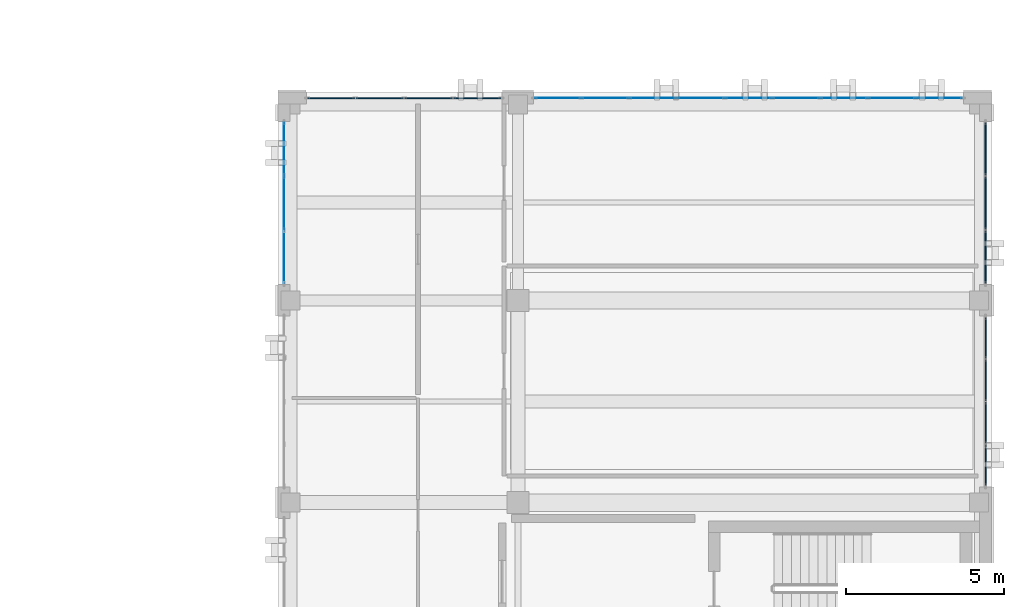
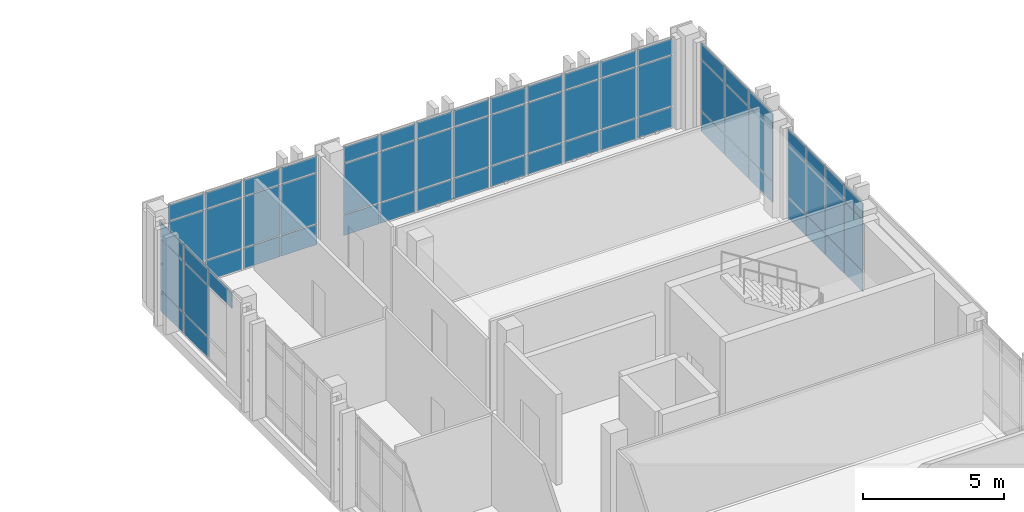
# One storey, part 66 of 90: 67 plates, 5 elements without a shape of their own.
"""IFC4 building model written with IfcOpenShell, lengths in metres."""

from ifc_helpers import new_model, si_unit, direction, frame, origin, origin_2d, place, context, subcontext, project, spatial, rectangle, extrude, material, layer, layer_set, type_object, element, aggregate, save


model = new_model("IFC4")

# Units and contexts
model_context = context("Model", 3, precision=1e-05, world=origin(), true_north=direction((0.0, 1.0)))
body_context = subcontext(model_context, "Body", "Model", "MODEL_VIEW")
ifc_project = project(units=[si_unit("LENGTHUNIT", "METRE"), si_unit("AREAUNIT", "SQUARE_METRE"), si_unit("VOLUMEUNIT", "CUBIC_METRE"), si_unit("PLANEANGLEUNIT", "RADIAN"), si_unit("MASSUNIT", "GRAM", prefix="KILO")], contexts=[model_context])

# Site, building, storey
site_placement = place(None, origin())
site = spatial("IfcSite", under=ifc_project, at=site_placement, CompositionType="ELEMENT")
building_placement = place(site_placement, origin())
building = spatial("IfcBuilding", under=site, at=building_placement, Name="Qalavern Law Courts", CompositionType="ELEMENT")
storey_placement = place(building_placement, frame((0.0, 0.0, 22.800048828125)))
storey = spatial("IfcBuildingStorey", under=building, at=storey_placement, Name="L05", CompositionType="ELEMENT", Elevation=22.800048828125)

# Curtain wall, plates
ifc_material_1 = material(Name="Anodised aluminium and insulated glazing", Category="aluminium")
ifc_layer_1 = layer(ifc_material_1, 0.159912109375)
ifc_layer_set_1 = layer_set([ifc_layer_1], Name="Anodised aluminium and insulated glazing")
curtain_wall_type = type_object("IfcCurtainWallType", Name="ENV-CW-CHAMB", PredefinedType="USERDEFINED", material=ifc_layer_set_1)
curtain_wall_1_placement = place(storey_placement, origin())
curtain_wall_1 = element("IfcCurtainWall", 1, at=curtain_wall_1_placement, inside=storey, type_object=curtain_wall_type, Name="V4 unitised curtain wall L05 north 1", ObjectType="UNITISED CURTAIN WALL", PredefinedType="USERDEFINED")
ifc_material_2 = material(Name="Insulated low-E acoustic glazing", Category="glass")
ifc_layer_2 = layer(ifc_material_2, 0.028076171875)
ifc_layer_set_2 = layer_set([ifc_layer_2], Name="Insulated low-E acoustic glazing")
plate_type_1 = type_object("IfcPlateType", Name="ENV-CWP-28", PredefinedType="CURTAIN_PANEL", material=ifc_layer_set_2)
plate_1_placement = place(storey_placement, frame((105.13232421875, 85.607421875, 0.048095703125), z_axis=(0.0, 0.0, 1.0), x_axis=(-1.0, 0.0, 0.0)))
plate_1 = element("IfcPlate", 2, at=plate_1_placement, type_object=plate_type_1, Name="CW-04 panel 1.1", PredefinedType="CURTAIN_PANEL", context=body_context, shape_type="SweptSolid", body=[
    extrude(rectangle(XDim=1.439208984375, YDim=0.028076171875, at=origin_2d()), origin(), (0.0, 0.0, 1.0), 0.8779296875),
])
plate_2_placement = place(storey_placement, frame((105.13232421875, 85.607421875, 0.97412109375), z_axis=(0.0, 0.0, 1.0), x_axis=(-1.0, 0.0, 0.0)))
plate_2 = element("IfcPlate", 3, at=plate_2_placement, type_object=plate_type_1, Name="CW-04 panel 1.2", PredefinedType="CURTAIN_PANEL", context=body_context, shape_type="SweptSolid", body=[
    extrude(rectangle(XDim=1.439208984375, YDim=0.028076171875, at=origin_2d()), origin(), (0.0, 0.0, 1.0), 2.181884765625),
])
plate_3_placement = place(storey_placement, frame((105.13232421875, 85.607421875, 3.2041015625), z_axis=(0.0, 0.0, 1.0), x_axis=(-1.0, 0.0, 0.0)))
plate_3 = element("IfcPlate", 4, at=plate_3_placement, type_object=plate_type_1, Name="CW-04 panel 1.3", PredefinedType="CURTAIN_PANEL", context=body_context, shape_type="SweptSolid", body=[
    extrude(rectangle(XDim=1.439208984375, YDim=0.028076171875, at=origin_2d()), origin(), (0.0, 0.0, 1.0), 0.677978515625),
])
plate_4_placement = place(storey_placement, frame((103.63330078125, 85.607421875, 0.048095703125), z_axis=(0.0, 0.0, 1.0), x_axis=(-1.0, 0.0, 0.0)))
plate_4 = element("IfcPlate", 5, at=plate_4_placement, type_object=plate_type_1, Name="CW-04 panel 2.1", PredefinedType="CURTAIN_PANEL", context=body_context, shape_type="SweptSolid", body=[
    extrude(rectangle(XDim=1.463134765625, YDim=0.028076171875, at=origin_2d()), origin(), (0.0, 0.0, 1.0), 0.8779296875),
])
plate_5_placement = place(storey_placement, frame((103.63330078125, 85.607421875, 0.97412109375), z_axis=(0.0, 0.0, 1.0), x_axis=(-1.0, 0.0, 0.0)))
plate_5 = element("IfcPlate", 6, at=plate_5_placement, type_object=plate_type_1, Name="CW-04 panel 2.2", PredefinedType="CURTAIN_PANEL", context=body_context, shape_type="SweptSolid", body=[
    extrude(rectangle(XDim=1.463134765625, YDim=0.028076171875, at=origin_2d()), origin(), (0.0, 0.0, 1.0), 2.181884765625),
])
plate_6_placement = place(storey_placement, frame((103.63330078125, 85.607421875, 3.2041015625), z_axis=(0.0, 0.0, 1.0), x_axis=(-1.0, 0.0, 0.0)))
plate_6 = element("IfcPlate", 7, at=plate_6_placement, type_object=plate_type_1, Name="CW-04 panel 2.3", PredefinedType="CURTAIN_PANEL", context=body_context, shape_type="SweptSolid", body=[
    extrude(rectangle(XDim=1.463134765625, YDim=0.028076171875, at=origin_2d()), origin(), (0.0, 0.0, 1.0), 0.677978515625),
])
plate_7_placement = place(storey_placement, frame((102.122314453125, 85.607421875, 0.048095703125), z_axis=(0.0, 0.0, 1.0), x_axis=(-1.0, 0.0, 0.0)))
plate_7 = element("IfcPlate", 8, at=plate_7_placement, type_object=plate_type_1, Name="CW-04 panel 3.1", PredefinedType="CURTAIN_PANEL", context=body_context, shape_type="SweptSolid", body=[
    extrude(rectangle(XDim=1.463134765625, YDim=0.028076171875, at=origin_2d()), origin(), (0.0, 0.0, 1.0), 0.8779296875),
])
plate_8_placement = place(storey_placement, frame((102.122314453125, 85.607421875, 0.97412109375), z_axis=(0.0, 0.0, 1.0), x_axis=(-1.0, 0.0, 0.0)))
plate_8 = element("IfcPlate", 9, at=plate_8_placement, type_object=plate_type_1, Name="CW-04 panel 3.2", PredefinedType="CURTAIN_PANEL", context=body_context, shape_type="SweptSolid", body=[
    extrude(rectangle(XDim=1.463134765625, YDim=0.028076171875, at=origin_2d()), origin(), (0.0, 0.0, 1.0), 2.181884765625),
])
plate_9_placement = place(storey_placement, frame((102.122314453125, 85.607421875, 3.2041015625), z_axis=(0.0, 0.0, 1.0), x_axis=(-1.0, 0.0, 0.0)))
plate_9 = element("IfcPlate", 10, at=plate_9_placement, type_object=plate_type_1, Name="CW-04 panel 3.3", PredefinedType="CURTAIN_PANEL", context=body_context, shape_type="SweptSolid", body=[
    extrude(rectangle(XDim=1.463134765625, YDim=0.028076171875, at=origin_2d()), origin(), (0.0, 0.0, 1.0), 0.677978515625),
])
plate_10_placement = place(storey_placement, frame((100.611083984375, 85.607421875, 0.048095703125), z_axis=(0.0, 0.0, 1.0), x_axis=(-1.0, 0.0, 0.0)))
plate_10 = element("IfcPlate", 11, at=plate_10_placement, type_object=plate_type_1, Name="CW-04 panel 4.1", PredefinedType="CURTAIN_PANEL", context=body_context, shape_type="SweptSolid", body=[
    extrude(rectangle(XDim=1.463134765625, YDim=0.028076171875, at=origin_2d()), origin(), (0.0, 0.0, 1.0), 0.8779296875),
])
plate_11_placement = place(storey_placement, frame((100.611083984375, 85.607421875, 0.97412109375), z_axis=(0.0, 0.0, 1.0), x_axis=(-1.0, 0.0, 0.0)))
plate_11 = element("IfcPlate", 12, at=plate_11_placement, type_object=plate_type_1, Name="CW-04 panel 4.2", PredefinedType="CURTAIN_PANEL", context=body_context, shape_type="SweptSolid", body=[
    extrude(rectangle(XDim=1.463134765625, YDim=0.028076171875, at=origin_2d()), origin(), (0.0, 0.0, 1.0), 2.181884765625),
])
plate_12_placement = place(storey_placement, frame((100.611083984375, 85.607421875, 3.2041015625), z_axis=(0.0, 0.0, 1.0), x_axis=(-1.0, 0.0, 0.0)))
plate_12 = element("IfcPlate", 13, at=plate_12_placement, type_object=plate_type_1, Name="CW-04 panel 4.3", PredefinedType="CURTAIN_PANEL", context=body_context, shape_type="SweptSolid", body=[
    extrude(rectangle(XDim=1.463134765625, YDim=0.028076171875, at=origin_2d()), origin(), (0.0, 0.0, 1.0), 0.677978515625),
])
plate_13_placement = place(storey_placement, frame((99.10009765625, 85.607421875, 0.048095703125), z_axis=(0.0, 0.0, 1.0), x_axis=(-1.0, 0.0, 0.0)))
plate_13 = element("IfcPlate", 14, at=plate_13_placement, type_object=plate_type_1, Name="CW-04 panel 5.1", PredefinedType="CURTAIN_PANEL", context=body_context, shape_type="SweptSolid", body=[
    extrude(rectangle(XDim=1.463134765625, YDim=0.028076171875, at=origin_2d()), origin(), (0.0, 0.0, 1.0), 0.8779296875),
])
plate_14_placement = place(storey_placement, frame((99.10009765625, 85.607421875, 0.97412109375), z_axis=(0.0, 0.0, 1.0), x_axis=(-1.0, 0.0, 0.0)))
plate_14 = element("IfcPlate", 15, at=plate_14_placement, type_object=plate_type_1, Name="CW-04 panel 5.2", PredefinedType="CURTAIN_PANEL", context=body_context, shape_type="SweptSolid", body=[
    extrude(rectangle(XDim=1.463134765625, YDim=0.028076171875, at=origin_2d()), origin(), (0.0, 0.0, 1.0), 2.181884765625),
])
plate_15_placement = place(storey_placement, frame((99.10009765625, 85.607421875, 3.2041015625), z_axis=(0.0, 0.0, 1.0), x_axis=(-1.0, 0.0, 0.0)))
plate_15 = element("IfcPlate", 16, at=plate_15_placement, type_object=plate_type_1, Name="CW-04 panel 5.3", PredefinedType="CURTAIN_PANEL", context=body_context, shape_type="SweptSolid", body=[
    extrude(rectangle(XDim=1.463134765625, YDim=0.028076171875, at=origin_2d()), origin(), (0.0, 0.0, 1.0), 0.677978515625),
])
plate_16_placement = place(storey_placement, frame((97.5888671875, 85.607421875, 0.048095703125), z_axis=(0.0, 0.0, 1.0), x_axis=(-1.0, 0.0, 0.0)))
plate_16 = element("IfcPlate", 17, at=plate_16_placement, type_object=plate_type_1, Name="CW-04 panel 6.1", PredefinedType="CURTAIN_PANEL", context=body_context, shape_type="SweptSolid", body=[
    extrude(rectangle(XDim=1.463134765625, YDim=0.028076171875, at=origin_2d()), origin(), (0.0, 0.0, 1.0), 0.8779296875),
])
plate_17_placement = place(storey_placement, frame((97.5888671875, 85.607421875, 0.97412109375), z_axis=(0.0, 0.0, 1.0), x_axis=(-1.0, 0.0, 0.0)))
plate_17 = element("IfcPlate", 18, at=plate_17_placement, type_object=plate_type_1, Name="CW-04 panel 6.2", PredefinedType="CURTAIN_PANEL", context=body_context, shape_type="SweptSolid", body=[
    extrude(rectangle(XDim=1.463134765625, YDim=0.028076171875, at=origin_2d()), origin(), (0.0, 0.0, 1.0), 2.181884765625),
])
plate_18_placement = place(storey_placement, frame((97.5888671875, 85.607421875, 3.2041015625), z_axis=(0.0, 0.0, 1.0), x_axis=(-1.0, 0.0, 0.0)))
plate_18 = element("IfcPlate", 19, at=plate_18_placement, type_object=plate_type_1, Name="CW-04 panel 6.3", PredefinedType="CURTAIN_PANEL", context=body_context, shape_type="SweptSolid", body=[
    extrude(rectangle(XDim=1.463134765625, YDim=0.028076171875, at=origin_2d()), origin(), (0.0, 0.0, 1.0), 0.677978515625),
])
plate_19_placement = place(storey_placement, frame((96.077880859375, 85.607421875, 0.048095703125), z_axis=(0.0, 0.0, 1.0), x_axis=(-1.0, 0.0, 0.0)))
plate_19 = element("IfcPlate", 20, at=plate_19_placement, type_object=plate_type_1, Name="CW-04 panel 7.1", PredefinedType="CURTAIN_PANEL", context=body_context, shape_type="SweptSolid", body=[
    extrude(rectangle(XDim=1.463134765625, YDim=0.028076171875, at=origin_2d()), origin(), (0.0, 0.0, 1.0), 0.8779296875),
])
plate_20_placement = place(storey_placement, frame((96.077880859375, 85.607421875, 0.97412109375), z_axis=(0.0, 0.0, 1.0), x_axis=(-1.0, 0.0, 0.0)))
plate_20 = element("IfcPlate", 21, at=plate_20_placement, type_object=plate_type_1, Name="CW-04 panel 7.2", PredefinedType="CURTAIN_PANEL", context=body_context, shape_type="SweptSolid", body=[
    extrude(rectangle(XDim=1.463134765625, YDim=0.028076171875, at=origin_2d()), origin(), (0.0, 0.0, 1.0), 2.181884765625),
])
plate_21_placement = place(storey_placement, frame((96.077880859375, 85.607421875, 3.2041015625), z_axis=(0.0, 0.0, 1.0), x_axis=(-1.0, 0.0, 0.0)))
plate_21 = element("IfcPlate", 22, at=plate_21_placement, type_object=plate_type_1, Name="CW-04 panel 7.3", PredefinedType="CURTAIN_PANEL", context=body_context, shape_type="SweptSolid", body=[
    extrude(rectangle(XDim=1.463134765625, YDim=0.028076171875, at=origin_2d()), origin(), (0.0, 0.0, 1.0), 0.677978515625),
])
plate_22_placement = place(storey_placement, frame((94.566650390625, 85.607421875, 0.048095703125), z_axis=(0.0, 0.0, 1.0), x_axis=(-1.0, 0.0, 0.0)))
plate_22 = element("IfcPlate", 23, at=plate_22_placement, type_object=plate_type_1, Name="CW-04 panel 8.1", PredefinedType="CURTAIN_PANEL", context=body_context, shape_type="SweptSolid", body=[
    extrude(rectangle(XDim=1.463134765625, YDim=0.028076171875, at=origin_2d()), origin(), (0.0, 0.0, 1.0), 0.8779296875),
])
plate_23_placement = place(storey_placement, frame((94.566650390625, 85.607421875, 0.97412109375), z_axis=(0.0, 0.0, 1.0), x_axis=(-1.0, 0.0, 0.0)))
plate_23 = element("IfcPlate", 24, at=plate_23_placement, type_object=plate_type_1, Name="CW-04 panel 8.2", PredefinedType="CURTAIN_PANEL", context=body_context, shape_type="SweptSolid", body=[
    extrude(rectangle(XDim=1.463134765625, YDim=0.028076171875, at=origin_2d()), origin(), (0.0, 0.0, 1.0), 2.181884765625),
])
plate_24_placement = place(storey_placement, frame((94.566650390625, 85.607421875, 3.2041015625), z_axis=(0.0, 0.0, 1.0), x_axis=(-1.0, 0.0, 0.0)))
plate_24 = element("IfcPlate", 25, at=plate_24_placement, type_object=plate_type_1, Name="CW-04 panel 8.3", PredefinedType="CURTAIN_PANEL", context=body_context, shape_type="SweptSolid", body=[
    extrude(rectangle(XDim=1.463134765625, YDim=0.028076171875, at=origin_2d()), origin(), (0.0, 0.0, 1.0), 0.677978515625),
])
plate_25_placement = place(storey_placement, frame((93.067626953125, 85.607421875, 0.048095703125), z_axis=(0.0, 0.0, 1.0), x_axis=(-1.0, 0.0, 0.0)))
plate_25 = element("IfcPlate", 26, at=plate_25_placement, type_object=plate_type_1, Name="CW-04 panel 9.1", PredefinedType="CURTAIN_PANEL", context=body_context, shape_type="SweptSolid", body=[
    extrude(rectangle(XDim=1.439208984375, YDim=0.028076171875, at=origin_2d()), origin(), (0.0, 0.0, 1.0), 0.8779296875),
])
plate_26_placement = place(storey_placement, frame((93.067626953125, 85.607421875, 0.97412109375), z_axis=(0.0, 0.0, 1.0), x_axis=(-1.0, 0.0, 0.0)))
plate_26 = element("IfcPlate", 27, at=plate_26_placement, type_object=plate_type_1, Name="CW-04 panel 9.2", PredefinedType="CURTAIN_PANEL", context=body_context, shape_type="SweptSolid", body=[
    extrude(rectangle(XDim=1.439208984375, YDim=0.028076171875, at=origin_2d()), origin(), (0.0, 0.0, 1.0), 2.181884765625),
])
plate_27_placement = place(storey_placement, frame((93.067626953125, 85.607421875, 3.2041015625), z_axis=(0.0, 0.0, 1.0), x_axis=(-1.0, 0.0, 0.0)))
plate_27 = element("IfcPlate", 28, at=plate_27_placement, type_object=plate_type_1, Name="CW-04 panel 9.3", PredefinedType="CURTAIN_PANEL", context=body_context, shape_type="SweptSolid", body=[
    extrude(rectangle(XDim=1.439208984375, YDim=0.028076171875, at=origin_2d()), origin(), (0.0, 0.0, 1.0), 0.677978515625),
])
aggregate(curtain_wall_1, [plate_1, plate_2, plate_3, plate_4, plate_5, plate_6, plate_7, plate_8, plate_9, plate_10, plate_11, plate_12, plate_13, plate_14, plate_15, plate_16, plate_17, plate_18, plate_19, plate_20, plate_21, plate_22, plate_23, plate_24, plate_25, plate_26, plate_27])

curtain_wall_2_placement = place(storey_placement, origin())
curtain_wall_2 = element("IfcCurtainWall", 29, at=curtain_wall_2_placement, inside=storey, type_object=curtain_wall_type, Name="V4 unitised curtain wall L05 west 1", ObjectType="UNITISED CURTAIN WALL", PredefinedType="USERDEFINED")
plate_28_placement = place(storey_placement, frame((84.392578125, 83.996337890625, 0.048095703125), z_axis=(0.0, 0.0, 1.0), x_axis=(0.0, -1.0, 0.0)))
plate_28 = element("IfcPlate", 30, at=plate_28_placement, type_object=plate_type_1, Name="CW-04 panel 1.1", PredefinedType="CURTAIN_PANEL", context=body_context, shape_type="SweptSolid", body=[
    extrude(rectangle(XDim=1.6513671875, YDim=0.028076171875, at=origin_2d()), origin(), (0.0, 0.0, 1.0), 0.8779296875),
])
plate_29_placement = place(storey_placement, frame((84.392578125, 83.996337890625, 0.97412109375), z_axis=(0.0, 0.0, 1.0), x_axis=(0.0, -1.0, 0.0)))
plate_29 = element("IfcPlate", 31, at=plate_29_placement, type_object=plate_type_1, Name="CW-04 panel 1.2", PredefinedType="CURTAIN_PANEL", context=body_context, shape_type="SweptSolid", body=[
    extrude(rectangle(XDim=1.6513671875, YDim=0.028076171875, at=origin_2d()), origin(), (0.0, 0.0, 1.0), 2.181884765625),
])
plate_30_placement = place(storey_placement, frame((84.392578125, 83.996337890625, 3.2041015625), z_axis=(0.0, 0.0, 1.0), x_axis=(0.0, -1.0, 0.0)))
plate_30 = element("IfcPlate", 32, at=plate_30_placement, type_object=plate_type_1, Name="CW-04 panel 1.3", PredefinedType="CURTAIN_PANEL", context=body_context, shape_type="SweptSolid", body=[
    extrude(rectangle(XDim=1.6513671875, YDim=0.028076171875, at=origin_2d()), origin(), (0.0, 0.0, 1.0), 0.677978515625),
])
plate_31_placement = place(storey_placement, frame((84.392578125, 82.284912109375, 0.048095703125), z_axis=(0.0, 0.0, 1.0), x_axis=(0.0, -1.0, 0.0)))
plate_31 = element("IfcPlate", 33, at=plate_31_placement, type_object=plate_type_1, Name="CW-04 panel 2.1", PredefinedType="CURTAIN_PANEL", context=body_context, shape_type="SweptSolid", body=[
    extrude(rectangle(XDim=1.67529296875, YDim=0.028076171875, at=origin_2d()), origin(), (0.0, 0.0, 1.0), 0.8779296875),
])
plate_32_placement = place(storey_placement, frame((84.392578125, 82.284912109375, 0.97412109375), z_axis=(0.0, 0.0, 1.0), x_axis=(0.0, -1.0, 0.0)))
plate_32 = element("IfcPlate", 34, at=plate_32_placement, type_object=plate_type_1, Name="CW-04 panel 2.2", PredefinedType="CURTAIN_PANEL", context=body_context, shape_type="SweptSolid", body=[
    extrude(rectangle(XDim=1.67529296875, YDim=0.028076171875, at=origin_2d()), origin(), (0.0, 0.0, 1.0), 2.181884765625),
])
plate_33_placement = place(storey_placement, frame((84.392578125, 82.284912109375, 3.2041015625), z_axis=(0.0, 0.0, 1.0), x_axis=(0.0, -1.0, 0.0)))
plate_33 = element("IfcPlate", 35, at=plate_33_placement, type_object=plate_type_1, Name="CW-04 panel 2.3", PredefinedType="CURTAIN_PANEL", context=body_context, shape_type="SweptSolid", body=[
    extrude(rectangle(XDim=1.67529296875, YDim=0.028076171875, at=origin_2d()), origin(), (0.0, 0.0, 1.0), 0.677978515625),
])
plate_34_placement = place(storey_placement, frame((84.392578125, 80.57373046875, 3.2041015625), z_axis=(0.0, 0.0, 1.0), x_axis=(0.0, -1.0, 0.0)))
plate_34 = element("IfcPlate", 36, at=plate_34_placement, type_object=plate_type_1, Name="CW-04 panel 3.3", PredefinedType="CURTAIN_PANEL", context=body_context, shape_type="SweptSolid", body=[
    extrude(rectangle(XDim=1.6513671875, YDim=0.028076171875, at=origin_2d()), origin(), (0.0, 0.0, 1.0), 0.677978515625),
])
aggregate(curtain_wall_2, [plate_28, plate_29, plate_30, plate_31, plate_32, plate_33, plate_34])

curtain_wall_3_placement = place(storey_placement, origin())
curtain_wall_3 = element("IfcCurtainWall", 37, at=curtain_wall_3_placement, inside=storey, type_object=curtain_wall_type, Name="V4 unitised curtain wall L05 north 2", ObjectType="UNITISED CURTAIN WALL", PredefinedType="USERDEFINED")
ifc_layer_3 = layer(ifc_material_2, 0.031982421875)
ifc_layer_set_3 = layer_set([ifc_layer_3], Name="Insulated low-E acoustic glazing")
plate_type_2 = type_object("IfcPlateType", Name="ENV-CWP-32", PredefinedType="CURTAIN_PANEL", material=ifc_layer_set_3)
plate_35_placement = place(storey_placement, frame((90.512939453125, 85.607421875, 0.048095703125), z_axis=(0.0, 0.0, 1.0), x_axis=(-1.0, 0.0, 0.0)))
plate_35 = element("IfcPlate", 38, at=plate_35_placement, type_object=plate_type_2, Name="CW-04 panel 1.1", PredefinedType="CURTAIN_PANEL", context=body_context, shape_type="SweptSolid", body=[
    extrude(rectangle(XDim=1.47802734375, YDim=0.031982421875, at=origin_2d()), origin(), (0.0, 0.0, 1.0), 0.8779296875),
])
plate_36_placement = place(storey_placement, frame((90.512939453125, 85.607421875, 0.97412109375), z_axis=(0.0, 0.0, 1.0), x_axis=(-1.0, 0.0, 0.0)))
plate_36 = element("IfcPlate", 39, at=plate_36_placement, type_object=plate_type_2, Name="CW-04 panel 1.2", PredefinedType="CURTAIN_PANEL", context=body_context, shape_type="SweptSolid", body=[
    extrude(rectangle(XDim=1.47802734375, YDim=0.031982421875, at=origin_2d()), origin(), (0.0, 0.0, 1.0), 2.181884765625),
])
plate_37_placement = place(storey_placement, frame((90.512939453125, 85.607421875, 3.2041015625), z_axis=(0.0, 0.0, 1.0), x_axis=(-1.0, 0.0, 0.0)))
plate_37 = element("IfcPlate", 40, at=plate_37_placement, type_object=plate_type_2, Name="CW-04 panel 1.3", PredefinedType="CURTAIN_PANEL", context=body_context, shape_type="SweptSolid", body=[
    extrude(rectangle(XDim=1.47802734375, YDim=0.031982421875, at=origin_2d()), origin(), (0.0, 0.0, 1.0), 0.677978515625),
])
plate_38_placement = place(storey_placement, frame((88.97509765625, 85.607421875, 0.048095703125), z_axis=(0.0, 0.0, 1.0), x_axis=(-1.0, 0.0, 0.0)))
plate_38 = element("IfcPlate", 41, at=plate_38_placement, type_object=plate_type_2, Name="CW-04 panel 2.1", PredefinedType="CURTAIN_PANEL", context=body_context, shape_type="SweptSolid", body=[
    extrude(rectangle(XDim=1.501953125, YDim=0.031982421875, at=origin_2d()), origin(), (0.0, 0.0, 1.0), 0.8779296875),
])
plate_39_placement = place(storey_placement, frame((88.97509765625, 85.607421875, 0.97412109375), z_axis=(0.0, 0.0, 1.0), x_axis=(-1.0, 0.0, 0.0)))
plate_39 = element("IfcPlate", 42, at=plate_39_placement, type_object=plate_type_2, Name="CW-04 panel 2.2", PredefinedType="CURTAIN_PANEL", context=body_context, shape_type="SweptSolid", body=[
    extrude(rectangle(XDim=1.501953125, YDim=0.031982421875, at=origin_2d()), origin(), (0.0, 0.0, 1.0), 2.181884765625),
])
plate_40_placement = place(storey_placement, frame((88.97509765625, 85.607421875, 3.2041015625), z_axis=(0.0, 0.0, 1.0), x_axis=(-1.0, 0.0, 0.0)))
plate_40 = element("IfcPlate", 43, at=plate_40_placement, type_object=plate_type_2, Name="CW-04 panel 2.3", PredefinedType="CURTAIN_PANEL", context=body_context, shape_type="SweptSolid", body=[
    extrude(rectangle(XDim=1.501953125, YDim=0.031982421875, at=origin_2d()), origin(), (0.0, 0.0, 1.0), 0.677978515625),
])
plate_41_placement = place(storey_placement, frame((87.425048828125, 85.607421875, 0.048095703125), z_axis=(0.0, 0.0, 1.0), x_axis=(-1.0, 0.0, 0.0)))
plate_41 = element("IfcPlate", 44, at=plate_41_placement, type_object=plate_type_2, Name="CW-04 panel 3.1", PredefinedType="CURTAIN_PANEL", context=body_context, shape_type="SweptSolid", body=[
    extrude(rectangle(XDim=1.501953125, YDim=0.031982421875, at=origin_2d()), origin(), (0.0, 0.0, 1.0), 0.8779296875),
])
plate_42_placement = place(storey_placement, frame((87.425048828125, 85.607421875, 0.97412109375), z_axis=(0.0, 0.0, 1.0), x_axis=(-1.0, 0.0, 0.0)))
plate_42 = element("IfcPlate", 45, at=plate_42_placement, type_object=plate_type_2, Name="CW-04 panel 3.2", PredefinedType="CURTAIN_PANEL", context=body_context, shape_type="SweptSolid", body=[
    extrude(rectangle(XDim=1.501953125, YDim=0.031982421875, at=origin_2d()), origin(), (0.0, 0.0, 1.0), 2.181884765625),
])
plate_43_placement = place(storey_placement, frame((87.425048828125, 85.607421875, 3.2041015625), z_axis=(0.0, 0.0, 1.0), x_axis=(-1.0, 0.0, 0.0)))
plate_43 = element("IfcPlate", 46, at=plate_43_placement, type_object=plate_type_2, Name="CW-04 panel 3.3", PredefinedType="CURTAIN_PANEL", context=body_context, shape_type="SweptSolid", body=[
    extrude(rectangle(XDim=1.501953125, YDim=0.031982421875, at=origin_2d()), origin(), (0.0, 0.0, 1.0), 0.677978515625),
])
plate_44_placement = place(storey_placement, frame((85.886962890625, 85.607421875, 0.048095703125), z_axis=(0.0, 0.0, 1.0), x_axis=(-1.0, 0.0, 0.0)))
plate_44 = element("IfcPlate", 47, at=plate_44_placement, type_object=plate_type_2, Name="CW-04 panel 4.1", PredefinedType="CURTAIN_PANEL", context=body_context, shape_type="SweptSolid", body=[
    extrude(rectangle(XDim=1.47802734375, YDim=0.031982421875, at=origin_2d()), origin(), (0.0, 0.0, 1.0), 0.8779296875),
])
plate_45_placement = place(storey_placement, frame((85.886962890625, 85.607421875, 0.97412109375), z_axis=(0.0, 0.0, 1.0), x_axis=(-1.0, 0.0, 0.0)))
plate_45 = element("IfcPlate", 48, at=plate_45_placement, type_object=plate_type_2, Name="CW-04 panel 4.2", PredefinedType="CURTAIN_PANEL", context=body_context, shape_type="SweptSolid", body=[
    extrude(rectangle(XDim=1.47802734375, YDim=0.031982421875, at=origin_2d()), origin(), (0.0, 0.0, 1.0), 2.181884765625),
])
plate_46_placement = place(storey_placement, frame((85.886962890625, 85.607421875, 3.2041015625), z_axis=(0.0, 0.0, 1.0), x_axis=(-1.0, 0.0, 0.0)))
plate_46 = element("IfcPlate", 49, at=plate_46_placement, type_object=plate_type_2, Name="CW-04 panel 4.3", PredefinedType="CURTAIN_PANEL", context=body_context, shape_type="SweptSolid", body=[
    extrude(rectangle(XDim=1.47802734375, YDim=0.031982421875, at=origin_2d()), origin(), (0.0, 0.0, 1.0), 0.677978515625),
])
aggregate(curtain_wall_3, [plate_35, plate_36, plate_37, plate_38, plate_39, plate_40, plate_41, plate_42, plate_43, plate_44, plate_45, plate_46])

curtain_wall_4_placement = place(storey_placement, origin())
curtain_wall_4 = element("IfcCurtainWall", 50, at=curtain_wall_4_placement, inside=storey, type_object=curtain_wall_type, Name="V4 unitised curtain wall L05 east 4", ObjectType="UNITISED CURTAIN WALL", PredefinedType="USERDEFINED")
ifc_layer_4 = layer(ifc_material_2, 0.0400390625)
ifc_layer_set_4 = layer_set([ifc_layer_4], Name="Insulated low-E acoustic glazing")
plate_type_3 = type_object("IfcPlateType", Name="ENV-CWP-40", PredefinedType="CURTAIN_PANEL", material=ifc_layer_set_4)
plate_47_placement = place(storey_placement, frame((106.607421875, 73.987060546875, 0.048095703125), z_axis=(0.0, 0.0, 1.0), x_axis=(0.0, 1.0, 0.0)))
plate_47 = element("IfcPlate", 51, at=plate_47_placement, type_object=plate_type_3, Name="CW-04 panel 1.1", PredefinedType="CURTAIN_PANEL", context=body_context, shape_type="SweptSolid", body=[
    extrude(rectangle(XDim=1.278076171875, YDim=0.0400390625, at=origin_2d()), origin(), (0.0, 0.0, 1.0), 0.8779296875),
])
plate_48_placement = place(storey_placement, frame((106.607421875, 73.987060546875, 0.97412109375), z_axis=(0.0, 0.0, 1.0), x_axis=(0.0, 1.0, 0.0)))
plate_48 = element("IfcPlate", 52, at=plate_48_placement, type_object=plate_type_3, Name="CW-04 panel 1.2", PredefinedType="CURTAIN_PANEL", context=body_context, shape_type="SweptSolid", body=[
    extrude(rectangle(XDim=1.278076171875, YDim=0.0400390625, at=origin_2d()), origin(), (0.0, 0.0, 1.0), 2.181884765625),
])
plate_49_placement = place(storey_placement, frame((106.607421875, 73.987060546875, 3.2041015625), z_axis=(0.0, 0.0, 1.0), x_axis=(0.0, 1.0, 0.0)))
plate_49 = element("IfcPlate", 53, at=plate_49_placement, type_object=plate_type_3, Name="CW-04 panel 1.3", PredefinedType="CURTAIN_PANEL", context=body_context, shape_type="SweptSolid", body=[
    extrude(rectangle(XDim=1.278076171875, YDim=0.0400390625, at=origin_2d()), origin(), (0.0, 0.0, 1.0), 0.677978515625),
])
plate_50_placement = place(storey_placement, frame((106.607421875, 75.324951171875, 0.048095703125), z_axis=(0.0, 0.0, 1.0), x_axis=(0.0, 1.0, 0.0)))
plate_50 = element("IfcPlate", 54, at=plate_50_placement, type_object=plate_type_3, Name="CW-04 panel 2.1", PredefinedType="CURTAIN_PANEL", context=body_context, shape_type="SweptSolid", body=[
    extrude(rectangle(XDim=1.302001953125, YDim=0.0400390625, at=origin_2d()), origin(), (0.0, 0.0, 1.0), 0.8779296875),
])
plate_51_placement = place(storey_placement, frame((106.607421875, 75.324951171875, 0.97412109375), z_axis=(0.0, 0.0, 1.0), x_axis=(0.0, 1.0, 0.0)))
plate_51 = element("IfcPlate", 55, at=plate_51_placement, type_object=plate_type_3, Name="CW-04 panel 2.2", PredefinedType="CURTAIN_PANEL", context=body_context, shape_type="SweptSolid", body=[
    extrude(rectangle(XDim=1.302001953125, YDim=0.0400390625, at=origin_2d()), origin(), (0.0, 0.0, 1.0), 2.181884765625),
])
plate_52_placement = place(storey_placement, frame((106.607421875, 75.324951171875, 3.2041015625), z_axis=(0.0, 0.0, 1.0), x_axis=(0.0, 1.0, 0.0)))
plate_52 = element("IfcPlate", 56, at=plate_52_placement, type_object=plate_type_3, Name="CW-04 panel 2.3", PredefinedType="CURTAIN_PANEL", context=body_context, shape_type="SweptSolid", body=[
    extrude(rectangle(XDim=1.302001953125, YDim=0.0400390625, at=origin_2d()), origin(), (0.0, 0.0, 1.0), 0.677978515625),
])
plate_53_placement = place(storey_placement, frame((106.607421875, 76.675048828125, 0.048095703125), z_axis=(0.0, 0.0, 1.0), x_axis=(0.0, 1.0, 0.0)))
plate_53 = element("IfcPlate", 57, at=plate_53_placement, type_object=plate_type_3, Name="CW-04 panel 3.1", PredefinedType="CURTAIN_PANEL", context=body_context, shape_type="SweptSolid", body=[
    extrude(rectangle(XDim=1.302001953125, YDim=0.0400390625, at=origin_2d()), origin(), (0.0, 0.0, 1.0), 0.8779296875),
])
plate_54_placement = place(storey_placement, frame((106.607421875, 76.675048828125, 0.97412109375), z_axis=(0.0, 0.0, 1.0), x_axis=(0.0, 1.0, 0.0)))
plate_54 = element("IfcPlate", 58, at=plate_54_placement, type_object=plate_type_3, Name="CW-04 panel 3.2", PredefinedType="CURTAIN_PANEL", context=body_context, shape_type="SweptSolid", body=[
    extrude(rectangle(XDim=1.302001953125, YDim=0.0400390625, at=origin_2d()), origin(), (0.0, 0.0, 1.0), 2.181884765625),
])
plate_55_placement = place(storey_placement, frame((106.607421875, 76.675048828125, 3.2041015625), z_axis=(0.0, 0.0, 1.0), x_axis=(0.0, 1.0, 0.0)))
plate_55 = element("IfcPlate", 59, at=plate_55_placement, type_object=plate_type_3, Name="CW-04 panel 3.3", PredefinedType="CURTAIN_PANEL", context=body_context, shape_type="SweptSolid", body=[
    extrude(rectangle(XDim=1.302001953125, YDim=0.0400390625, at=origin_2d()), origin(), (0.0, 0.0, 1.0), 0.677978515625),
])
plate_56_placement = place(storey_placement, frame((106.607421875, 78.012939453125, 0.048095703125), z_axis=(0.0, 0.0, 1.0), x_axis=(0.0, 1.0, 0.0)))
plate_56 = element("IfcPlate", 60, at=plate_56_placement, type_object=plate_type_3, Name="CW-04 panel 4.1", PredefinedType="CURTAIN_PANEL", context=body_context, shape_type="SweptSolid", body=[
    extrude(rectangle(XDim=1.278076171875, YDim=0.0400390625, at=origin_2d()), origin(), (0.0, 0.0, 1.0), 0.8779296875),
])
plate_57_placement = place(storey_placement, frame((106.607421875, 78.012939453125, 0.97412109375), z_axis=(0.0, 0.0, 1.0), x_axis=(0.0, 1.0, 0.0)))
plate_57 = element("IfcPlate", 61, at=plate_57_placement, type_object=plate_type_3, Name="CW-04 panel 4.2", PredefinedType="CURTAIN_PANEL", context=body_context, shape_type="SweptSolid", body=[
    extrude(rectangle(XDim=1.278076171875, YDim=0.0400390625, at=origin_2d()), origin(), (0.0, 0.0, 1.0), 2.181884765625),
])
plate_58_placement = place(storey_placement, frame((106.607421875, 78.012939453125, 3.2041015625), z_axis=(0.0, 0.0, 1.0), x_axis=(0.0, 1.0, 0.0)))
plate_58 = element("IfcPlate", 62, at=plate_58_placement, type_object=plate_type_3, Name="CW-04 panel 4.3", PredefinedType="CURTAIN_PANEL", context=body_context, shape_type="SweptSolid", body=[
    extrude(rectangle(XDim=1.278076171875, YDim=0.0400390625, at=origin_2d()), origin(), (0.0, 0.0, 1.0), 0.677978515625),
])
aggregate(curtain_wall_4, [plate_47, plate_48, plate_49, plate_50, plate_51, plate_52, plate_53, plate_54, plate_55, plate_56, plate_57, plate_58])

curtain_wall_5_placement = place(storey_placement, origin())
curtain_wall_5 = element("IfcCurtainWall", 63, at=curtain_wall_5_placement, inside=storey, type_object=curtain_wall_type, Name="V4 unitised curtain wall L05 east 5", ObjectType="UNITISED CURTAIN WALL", PredefinedType="USERDEFINED")
ifc_layer_5 = layer(ifc_material_2, 0.0439453125)
ifc_layer_set_5 = layer_set([ifc_layer_5], Name="Insulated low-E acoustic glazing")
plate_type_4 = type_object("IfcPlateType", Name="ENV-CWP-44", PredefinedType="CURTAIN_PANEL", material=ifc_layer_set_5)
plate_59_placement = place(storey_placement, frame((106.607421875, 80.57373046875, 0.048095703125), z_axis=(0.0, 0.0, 1.0), x_axis=(0.0, 1.0, 0.0)))
plate_59 = element("IfcPlate", 64, at=plate_59_placement, type_object=plate_type_4, Name="CW-04 panel 1.1", PredefinedType="CURTAIN_PANEL", context=body_context, shape_type="SweptSolid", body=[
    extrude(rectangle(XDim=1.6513671875, YDim=0.0439453125, at=origin_2d()), origin(), (0.0, 0.0, 1.0), 0.8779296875),
])
plate_60_placement = place(storey_placement, frame((106.607421875, 80.57373046875, 0.97412109375), z_axis=(0.0, 0.0, 1.0), x_axis=(0.0, 1.0, 0.0)))
plate_60 = element("IfcPlate", 65, at=plate_60_placement, type_object=plate_type_4, Name="CW-04 panel 1.2", PredefinedType="CURTAIN_PANEL", context=body_context, shape_type="SweptSolid", body=[
    extrude(rectangle(XDim=1.6513671875, YDim=0.0439453125, at=origin_2d()), origin(), (0.0, 0.0, 1.0), 2.181884765625),
])
plate_61_placement = place(storey_placement, frame((106.607421875, 80.57373046875, 3.2041015625), z_axis=(0.0, 0.0, 1.0), x_axis=(0.0, 1.0, 0.0)))
plate_61 = element("IfcPlate", 66, at=plate_61_placement, type_object=plate_type_4, Name="CW-04 panel 1.3", PredefinedType="CURTAIN_PANEL", context=body_context, shape_type="SweptSolid", body=[
    extrude(rectangle(XDim=1.6513671875, YDim=0.0439453125, at=origin_2d()), origin(), (0.0, 0.0, 1.0), 0.677978515625),
])
plate_62_placement = place(storey_placement, frame((106.607421875, 82.284912109375, 0.048095703125), z_axis=(0.0, 0.0, 1.0), x_axis=(0.0, 1.0, 0.0)))
plate_62 = element("IfcPlate", 67, at=plate_62_placement, type_object=plate_type_4, Name="CW-04 panel 2.1", PredefinedType="CURTAIN_PANEL", context=body_context, shape_type="SweptSolid", body=[
    extrude(rectangle(XDim=1.67529296875, YDim=0.0439453125, at=origin_2d()), origin(), (0.0, 0.0, 1.0), 0.8779296875),
])
plate_63_placement = place(storey_placement, frame((106.607421875, 82.284912109375, 0.97412109375), z_axis=(0.0, 0.0, 1.0), x_axis=(0.0, 1.0, 0.0)))
plate_63 = element("IfcPlate", 68, at=plate_63_placement, type_object=plate_type_4, Name="CW-04 panel 2.2", PredefinedType="CURTAIN_PANEL", context=body_context, shape_type="SweptSolid", body=[
    extrude(rectangle(XDim=1.67529296875, YDim=0.0439453125, at=origin_2d()), origin(), (0.0, 0.0, 1.0), 2.181884765625),
])
plate_64_placement = place(storey_placement, frame((106.607421875, 82.284912109375, 3.2041015625), z_axis=(0.0, 0.0, 1.0), x_axis=(0.0, 1.0, 0.0)))
plate_64 = element("IfcPlate", 69, at=plate_64_placement, type_object=plate_type_4, Name="CW-04 panel 2.3", PredefinedType="CURTAIN_PANEL", context=body_context, shape_type="SweptSolid", body=[
    extrude(rectangle(XDim=1.67529296875, YDim=0.0439453125, at=origin_2d()), origin(), (0.0, 0.0, 1.0), 0.677978515625),
])
plate_65_placement = place(storey_placement, frame((106.607421875, 83.996337890625, 0.048095703125), z_axis=(0.0, 0.0, 1.0), x_axis=(0.0, 1.0, 0.0)))
plate_65 = element("IfcPlate", 70, at=plate_65_placement, type_object=plate_type_4, Name="CW-04 panel 3.1", PredefinedType="CURTAIN_PANEL", context=body_context, shape_type="SweptSolid", body=[
    extrude(rectangle(XDim=1.6513671875, YDim=0.0439453125, at=origin_2d()), origin(), (0.0, 0.0, 1.0), 0.8779296875),
])
plate_66_placement = place(storey_placement, frame((106.607421875, 83.996337890625, 0.97412109375), z_axis=(0.0, 0.0, 1.0), x_axis=(0.0, 1.0, 0.0)))
plate_66 = element("IfcPlate", 71, at=plate_66_placement, type_object=plate_type_4, Name="CW-04 panel 3.2", PredefinedType="CURTAIN_PANEL", context=body_context, shape_type="SweptSolid", body=[
    extrude(rectangle(XDim=1.6513671875, YDim=0.0439453125, at=origin_2d()), origin(), (0.0, 0.0, 1.0), 2.181884765625),
])
plate_67_placement = place(storey_placement, frame((106.607421875, 83.996337890625, 3.2041015625), z_axis=(0.0, 0.0, 1.0), x_axis=(0.0, 1.0, 0.0)))
plate_67 = element("IfcPlate", 72, at=plate_67_placement, type_object=plate_type_4, Name="CW-04 panel 3.3", PredefinedType="CURTAIN_PANEL", context=body_context, shape_type="SweptSolid", body=[
    extrude(rectangle(XDim=1.6513671875, YDim=0.0439453125, at=origin_2d()), origin(), (0.0, 0.0, 1.0), 0.677978515625),
])
aggregate(curtain_wall_5, [plate_59, plate_60, plate_61, plate_62, plate_63, plate_64, plate_65, plate_66, plate_67])

save(model, "model.ifc")
